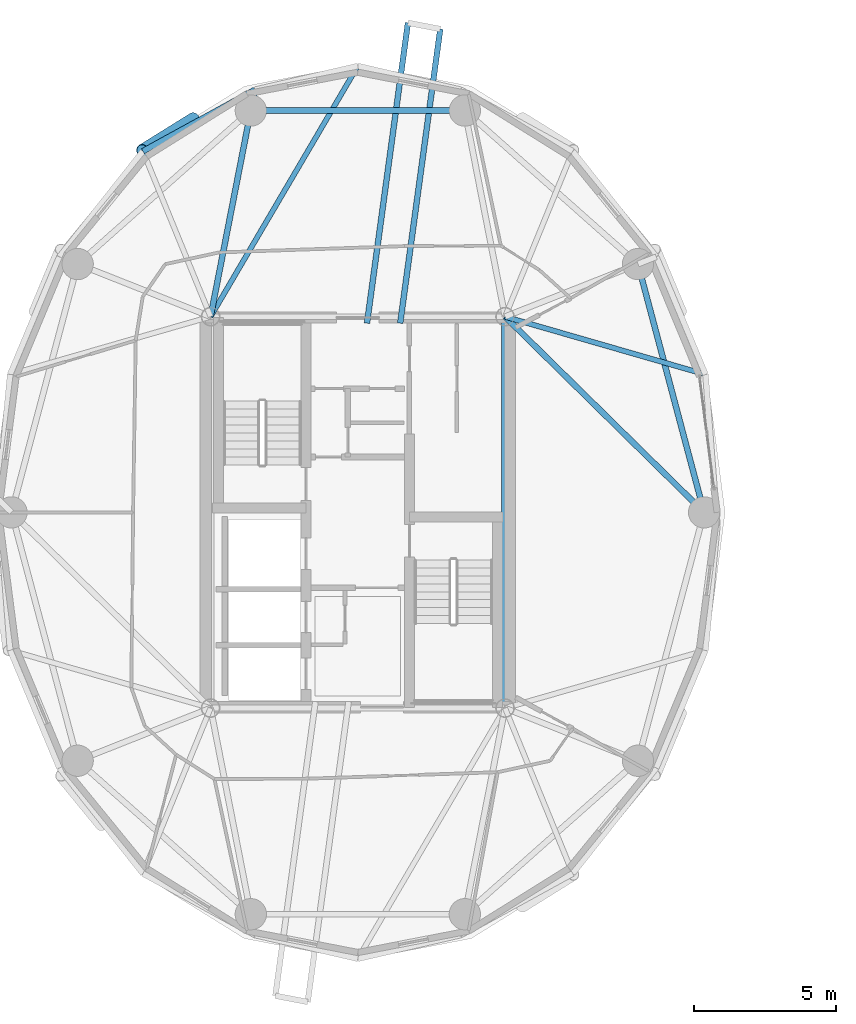
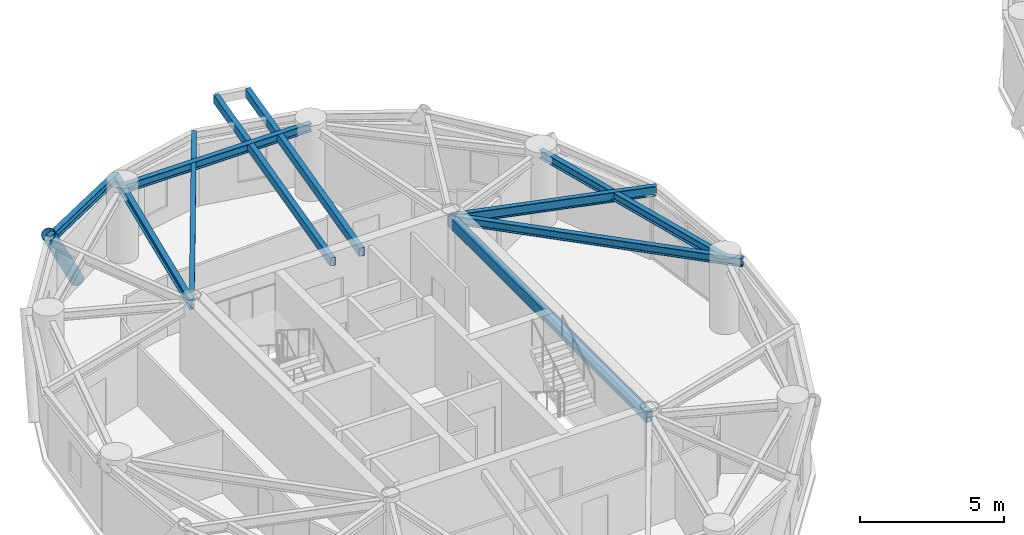
# One storey, part 2 of 15: 10 beams, 1 member.
"""IFC4 building model written with IfcOpenShell, lengths in metres."""

from ifc_helpers import new_model, si_unit, direction, frame, origin, origin_2d, place, context, subcontext, project, spatial, hollow_rectangle, hollow_circle, i_section, extrude, material, material_profile, profile_set, type_object, element, save


model = new_model("IFC4")

# Units and contexts
model_context = context("Model", 3, precision=1e-05, world=origin(), true_north=direction((0.0, 1.0)))
body_context = subcontext(model_context, "Body", "Model", "MODEL_VIEW")
ifc_project = project(units=[si_unit("LENGTHUNIT", "METRE"), si_unit("AREAUNIT", "SQUARE_METRE"), si_unit("VOLUMEUNIT", "CUBIC_METRE"), si_unit("PLANEANGLEUNIT", "RADIAN"), si_unit("MASSUNIT", "GRAM", prefix="KILO")], contexts=[model_context])

# Site, building, storey
site_placement = place(None, origin())
site = spatial("IfcSite", under=ifc_project, at=site_placement, CompositionType="ELEMENT")
building_placement = place(site_placement, origin())
building = spatial("IfcBuilding", under=site, at=building_placement, Name="Cununo Teusaquillo Station Towers", CompositionType="ELEMENT")
storey_placement = place(building_placement, frame((0.0, 0.0, 229.25)))
storey = spatial("IfcBuildingStorey", under=building, at=storey_placement, Name="L73", CompositionType="ELEMENT", Elevation=229.25)

# Beams
ifc_material_1 = material(Name="Steel EN 10025-2 S355J2", Category="steel")
ifc_material_profile_1 = material_profile(ifc_material_1, hollow_rectangle(XDim=0.199951171875, YDim=0.35009765625, WallThickness=0.013916015625, at=origin_2d()), Name="RHS 350x200x14")
ifc_profile_set_1 = profile_set([ifc_material_profile_1], Name="Steel EN 10025-2 S355J2")
beam_type_1 = type_object("IfcBeamType", Name="BM-BAL-CANT", PredefinedType="BEAM", material=ifc_profile_set_1)
beam_1_placement = place(storey_placement, frame((17.9892578125, 31.14990234375, 2.81494140625), z_axis=(0.135018196505, 0.990843119072, 0.0), x_axis=(-0.990843119072, 0.135018196505, 0.0)))
element("IfcBeam", 1, at=beam_1_placement, inside=storey, type_object=beam_type_1, Name="L73 Tower A Balcony Cantilever Bracket 1A", PredefinedType="BEAM", context=body_context, shape_type="SweptSolid", body=[
    extrude(hollow_rectangle(XDim=0.199951171875, YDim=0.35009765625, WallThickness=0.013916015625, at=origin_2d()), origin(), (0.0, 0.0, 1.0), 10.43505859375),
])
beam_2_placement = place(storey_placement, frame((16.822998046875, 31.14990234375, 2.81494140625), z_axis=(0.135006880627, 0.990844660975, 0.0), x_axis=(-0.990844660975, 0.135006880627, 0.0)))
element("IfcBeam", 2, at=beam_2_placement, inside=storey, type_object=beam_type_1, Name="L73 Tower A Balcony Cantilever Bracket 1B", PredefinedType="BEAM", context=body_context, shape_type="SweptSolid", body=[
    extrude(hollow_rectangle(XDim=0.199951171875, YDim=0.35009765625, WallThickness=0.013916015625, at=origin_2d()), origin(), (0.0, 0.0, 1.0), 10.65673828125),
])
ifc_material_2 = material(Name="Steel EN 10025-2 S355J2", Category="steel")
ifc_material_profile_2 = material_profile(ifc_material_2, hollow_rectangle(XDim=0.25, YDim=0.449951171875, WallThickness=0.01611328125, at=origin_2d()), Name="RHS 450x250x16")
ifc_profile_set_2 = profile_set([ifc_material_profile_2], Name="Steel EN 10025-2 S355J2")
beam_type_2 = type_object("IfcBeamType", Name="BM-COUP-1", PredefinedType="USERDEFINED", material=ifc_profile_set_2)
beam_3_placement = place(storey_placement, frame((21.675048828125, 17.6201171875, 2.764892578125), z_axis=(0.0, 1.0, 0.0), x_axis=(-1.0, 0.0, 0.0)))
element("IfcBeam", 3, at=beam_3_placement, inside=storey, type_object=beam_type_2, Name="L73 Tower A Core Beam 2", ObjectType="COUPLING BEAM", PredefinedType="USERDEFINED", context=body_context, shape_type="SweptSolid", body=[
    extrude(hollow_rectangle(XDim=0.25, YDim=0.449951171875, WallThickness=0.01611328125, at=origin_2d()), origin(), (0.0, 0.0, 1.0), 13.759765625),
])
ifc_material_3 = material(Name="Steel ASTM A572 Grade 50", Category="steel")
ifc_material_profile_3 = material_profile(ifc_material_3, i_section(OverallWidth=0.180908203125, OverallDepth=0.4169921875, WebThickness=0.010986328125, FlangeThickness=0.018310546875, FilletRadius=0.012939453125, at=origin_2d()), Name="W16X57")
ifc_profile_set_3 = profile_set([ifc_material_profile_3], Name="Steel ASTM A572 Grade 50")
beam_type_3 = type_object("IfcBeamType", Name="BM-JOIST-1", PredefinedType="JOIST", material=ifc_profile_set_3)
beam_4_placement = place(storey_placement, frame((21.675048828125, 31.3798828125, 2.781494140625), z_axis=(0.960861603375, -0.277028841748, 0.0), x_axis=(0.277028841748, 0.960861603375, 0.0)))
element("IfcBeam", 4, at=beam_4_placement, inside=storey, type_object=beam_type_3, Name="L73 Tower A Radial Spandrel Joist V01", PredefinedType="JOIST", context=body_context, shape_type="SweptSolid", body=[
    extrude(i_section(OverallWidth=0.180908203125, OverallDepth=0.4169921875, WebThickness=0.010986328125, FlangeThickness=0.018310546875, FilletRadius=0.012939453125, at=origin_2d()), origin(), (0.0, 0.0, 1.0), 7.333251953125),
])
beam_5_placement = place(storey_placement, frame((11.324951171875, 31.3798828125, 2.781494140625), z_axis=(0.506486432091, 0.862247930765, 0.0), x_axis=(-0.862247930765, 0.506486432091, 0.0)))
element("IfcBeam", 5, at=beam_5_placement, inside=storey, type_object=beam_type_3, Name="L73 Tower A Radial Spandrel Joist V05", PredefinedType="JOIST", context=body_context, shape_type="SweptSolid", body=[
    extrude(i_section(OverallWidth=0.180908203125, OverallDepth=0.4169921875, WebThickness=0.010986328125, FlangeThickness=0.018310546875, FilletRadius=0.012939453125, at=origin_2d()), origin(), (0.0, 0.0, 1.0), 10.217529296875),
])
ifc_material_4 = material(Name="Steel ASTM A572 Grade 50", Category="steel")
ifc_material_profile_4 = material_profile(ifc_material_4, i_section(OverallWidth=0.2041015625, OverallDepth=0.35009765625, WebThickness=0.008544921875, FlangeThickness=0.01513671875, FilletRadius=0.011962890625, at=origin_2d()), Name="W14X48")
ifc_profile_set_4 = profile_set([ifc_material_profile_4], Name="Steel ASTM A572 Grade 50")
beam_type_4 = type_object("IfcBeamType", Name="BM-RAD-G3", PredefinedType="BEAM", material=ifc_profile_set_4)
beam_6_placement = place(storey_placement, frame((21.675048828125, 31.3798828125, 2.81494140625), z_axis=(0.713043510712, -0.701119784225, 0.0), x_axis=(0.701119784225, 0.713043510712, 0.0)))
element("IfcBeam", 6, at=beam_6_placement, inside=storey, type_object=beam_type_4, Name="L73 Tower A Continuous Overhanging Radial Girder 01", PredefinedType="BEAM", context=body_context, shape_type="SweptSolid", body=[
    extrude(i_section(OverallWidth=0.2041015625, OverallDepth=0.35009765625, WebThickness=0.008544921875, FlangeThickness=0.01513671875, FilletRadius=0.011962890625, at=origin_2d()), origin(), (0.0, 0.0, 1.0), 10.462890625),
])
beam_7_placement = place(storey_placement, frame((11.324951171875, 31.3798828125, 2.81494140625), z_axis=(0.191548487699, 0.981483151593, 0.0), x_axis=(-0.981483151593, 0.191548487699, 0.0)))
element("IfcBeam", 7, at=beam_7_placement, inside=storey, type_object=beam_type_4, Name="L73 Tower A Continuous Overhanging Radial Girder 04", PredefinedType="BEAM", context=body_context, shape_type="SweptSolid", body=[
    extrude(i_section(OverallWidth=0.2041015625, OverallDepth=0.35009765625, WebThickness=0.008544921875, FlangeThickness=0.01513671875, FilletRadius=0.011962890625, at=origin_2d()), origin(), (0.0, 0.0, 1.0), 8.1240234375),
])
ifc_material_5 = material(Name="Steel ASTM A572 Grade 50", Category="steel")
ifc_material_profile_5 = material_profile(ifc_material_5, i_section(OverallWidth=0.2041015625, OverallDepth=0.35009765625, WebThickness=0.008544921875, FlangeThickness=0.01513671875, FilletRadius=0.011962890625, at=origin_2d()), Name="W14X48")
ifc_profile_set_5 = profile_set([ifc_material_profile_5], Name="Steel ASTM A572 Grade 50")
beam_type_5 = type_object("IfcBeamType", Name="BM-RING-Z4", PredefinedType="SPANDREL", material=ifc_profile_set_5)
beam_8_placement = place(storey_placement, frame((28.672119140625, 24.5, 2.81494140625), z_axis=(-0.257363196347, 0.966314744359, 0.0), x_axis=(-0.966314744359, -0.257363196347, 0.0)))
element("IfcBeam", 8, at=beam_8_placement, inside=storey, type_object=beam_type_5, Name="L73 Tower A Structural Column Ring Girder 01", PredefinedType="SPANDREL", context=body_context, shape_type="SweptSolid", body=[
    extrude(i_section(OverallWidth=0.2041015625, OverallDepth=0.35009765625, WebThickness=0.008544921875, FlangeThickness=0.01513671875, FilletRadius=0.011962890625, at=origin_2d()), origin(), (0.0, 0.0, 1.0), 9.03271484375),
])
beam_9_placement = place(storey_placement, frame((20.261474609375, 38.623291015625, 2.81494140625), z_axis=(-1.0, 0.0, 0.0), x_axis=(0.0, -1.0, 0.0)))
element("IfcBeam", 9, at=beam_9_placement, inside=storey, type_object=beam_type_5, Name="L73 Tower A Structural Column Ring Girder 03", PredefinedType="SPANDREL", context=body_context, shape_type="SweptSolid", body=[
    extrude(i_section(OverallWidth=0.2041015625, OverallDepth=0.35009765625, WebThickness=0.008544921875, FlangeThickness=0.01513671875, FilletRadius=0.011962890625, at=origin_2d()), origin(), (0.0, 0.0, 1.0), 7.52294921875),
])
beam_10_placement = place(storey_placement, frame((12.881103515625, 39.353515625, 2.81494140625), z_axis=(-0.876576300909, -0.481262910149, 0.0), x_axis=(0.481262910149, -0.876576300909, 0.0)))
element("IfcBeam", 10, at=beam_10_placement, inside=storey, type_object=beam_type_5, Name="L73 Tower A Spandrel Ring Beam 07", PredefinedType="SPANDREL", context=body_context, shape_type="SweptSolid", body=[
    extrude(i_section(OverallWidth=0.2041015625, OverallDepth=0.35009765625, WebThickness=0.008544921875, FlangeThickness=0.01513671875, FilletRadius=0.011962890625, at=origin_2d()), origin(), (0.0, 0.0, 1.0), 4.488037109375),
])

# Member
ifc_material_6 = material(Name="Steel EN 10025-2 S355J2", Category="steel")
ifc_material_profile_6 = material_profile(ifc_material_6, hollow_circle(Radius=0.25390625, WallThickness=0.01806640625, at=origin_2d()), Name="CHS 508x18")
ifc_profile_set_6 = profile_set([ifc_material_profile_6], Name="Steel EN 10025-2 S355J2")
member_type = type_object("IfcMemberType", Name="MBR-DIAG-Z4", PredefinedType="BRACE", material=ifc_profile_set_6)
member_placement = place(storey_placement, frame((10.738037109375, 38.307861328125, -0.139892578125), z_axis=(-0.46730812708, -0.29072986532, 0.834924703058), x_axis=(0.528249968439, -0.849088906325, 0.0)))
element("IfcMember", 11, at=member_placement, inside=storey, type_object=member_type, Name="L73 Tower A Folded-Zigzag Diagrid Tube C06", PredefinedType="BRACE", context=body_context, shape_type="SweptSolid", body=[
    extrude(hollow_circle(Radius=0.25390625, WallThickness=0.01806640625, at=origin_2d()), origin(), (0.0, 0.0, 1.0), 3.83251953125),
])

save(model, "model.ifc")
